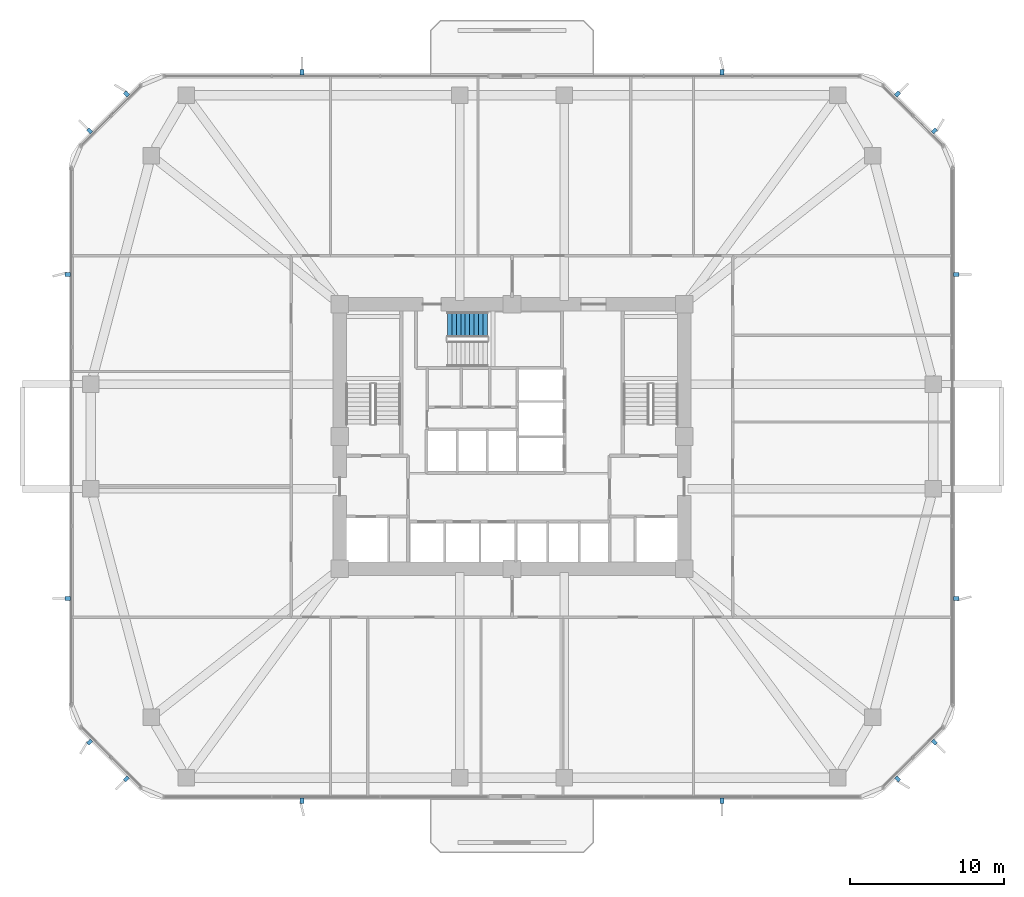
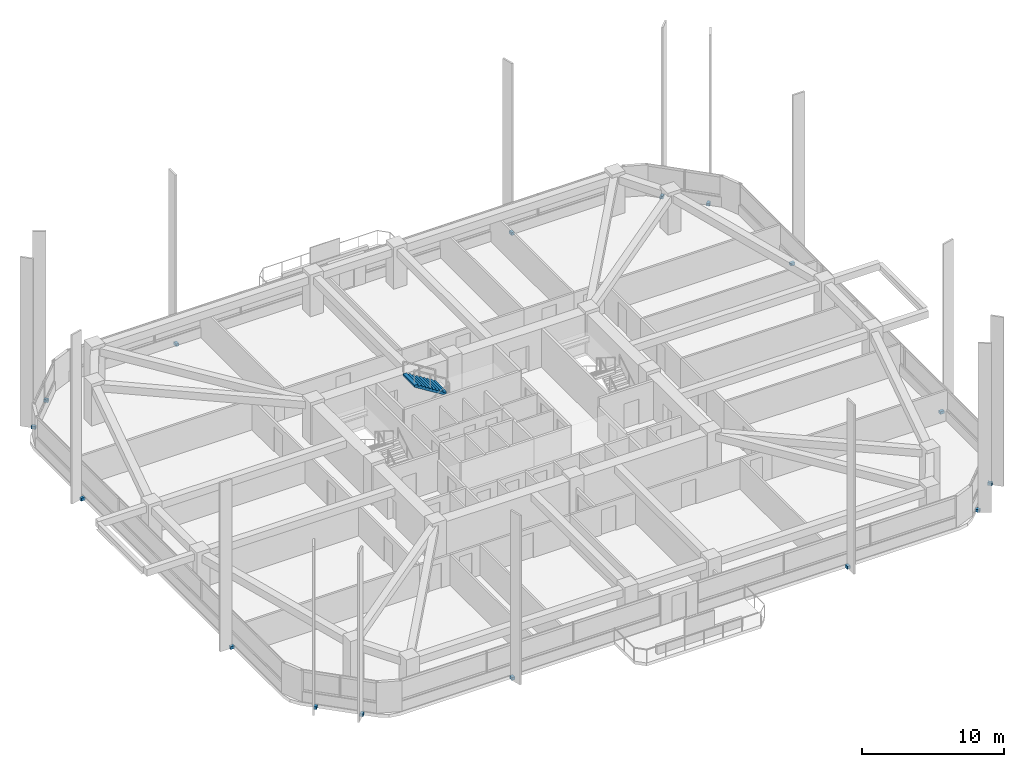
# One storey, part 12 of 17: 16 discrete accessories, 1 stair flight, 1 element without a shape of its own.
"""IFC4 building model written with IfcOpenShell, lengths in metres."""

from ifc_helpers import new_model, si_unit, derived_unit, direction, frame, origin, origin_2d, place, context, subcontext, project, spatial, polyline, rectangle, outline, extrude, material, type_object, element, aggregate, save


model = new_model("IFC4")

# Units and contexts
model_context = context("Model", 3, precision=1e-05, world=origin(), true_north=direction((0.0, 1.0)))
body_context = subcontext(model_context, "Body", "Model", "MODEL_VIEW")
ifc_project = project(units=[si_unit("LENGTHUNIT", "METRE"), si_unit("AREAUNIT", "SQUARE_METRE"), si_unit("VOLUMEUNIT", "CUBIC_METRE"), si_unit("PLANEANGLEUNIT", "RADIAN"), si_unit("MASSUNIT", "GRAM", prefix="KILO"), derived_unit("THERMALTRANSMITTANCEUNIT", [(si_unit("POWERUNIT", "WATT"), 1), (si_unit("LENGTHUNIT", "METRE"), -2), (si_unit("THERMODYNAMICTEMPERATUREUNIT", "KELVIN"), -1)])], contexts=[model_context])

# Site, building, storey
site_placement = place(None, origin())
site = spatial("IfcSite", under=ifc_project, at=site_placement, CompositionType="ELEMENT")
building_placement = place(site_placement, origin())
building = spatial("IfcBuilding", under=site, at=building_placement, Name="Koralith Skygarden Medical Center", CompositionType="ELEMENT")
storey_placement = place(building_placement, frame((0.0, 0.0, 23.93994140625)))
storey = spatial("IfcBuildingStorey", under=building, at=storey_placement, Name="L05", CompositionType="ELEMENT", Elevation=23.93994140625)

# Stair, stair flight
ifc_material_1 = material(Name="Concrete C45/55", Category="concrete")
stair_type = type_object("IfcStairType", Name="Core Exit Dogleg Concrete Stair", PredefinedType="HALF_TURN_STAIR", material=ifc_material_1)
stair_placement = place(storey_placement, origin())
stair = element("IfcStair", 1, at=stair_placement, inside=storey, type_object=stair_type, Name="L05 Smokeproof Exit Stair ST3", PredefinedType="HALF_TURN_STAIR")
stair_flight_type = type_object("IfcStairFlightType", Name="Core Exit Concrete Stair Flight 1650", PredefinedType="STRAIGHT", material=ifc_material_1)
stair_flight_placement = place(storey_placement, frame((35.409912109375, 33.175048828125, 1.800048828125), z_axis=(0.0, 0.0, 1.0), x_axis=(-1.0, 0.0, 0.0)))
stair_flight = element("IfcStairFlight", 2, at=stair_flight_placement, type_object=stair_flight_type, Name="ST3 flight 2", NumberOfRisers=10, NumberOfTreads=9, PredefinedType="STRAIGHT", RiserHeight=0.18, TreadLength=0.29, context=body_context, shape_type="SweptSolid", body=[
    extrude(outline(polyline([(0.0, 0.0), (0.0, 0.179931640625), (0.2900390625, 0.179931640625), (0.2900390625, 0.360107421875), (0.580078125, 0.360107421875), (0.580078125, 0.5400390625), (0.8701171875, 0.5400390625), (0.8701171875, 0.719970703125), (1.159912109375, 0.719970703125), (1.159912109375, 0.89990234375), (1.449951171875, 0.89990234375), (1.449951171875, 1.080078125), (1.739990234375, 1.080078125), (1.739990234375, 1.260009765625), (2.030029296875, 1.260009765625), (2.030029296875, 1.43994140625), (2.320068359375, 1.43994140625), (2.320068359375, 1.6201171875), (2.610107421875, 1.6201171875), (2.610107421875, 1.800048828125), (2.610107421875, 1.443603515625), (0.2841796875, 0.0), (0.0, 0.0)])), frame((0.0, 0.824951171875, 0.0), z_axis=(0.0, -1.0, 0.0), x_axis=(1.0, 0.0, 0.0)), (0.0, 0.0, 1.0), 1.64990234375),
])
aggregate(stair, [stair_flight])

# Discrete accessories
ifc_material_2 = material(Name="Steel ASTM A572 Grade 50", Category="steel")
discrete_accessory_type = type_object("IfcDiscreteAccessoryType", Name="Facade Fin Structural Anchor Bracket", PredefinedType="BRACKET", material=ifc_material_2)
for number, where, z_axis, x_axis, name in (
    (3, (23.35009765625, 2.219970703125, -0.259765625), (0.0, 0.0, 1.0), (0.0, -1.0, 0.0), "L05 S Solar Fin Anchor Bracket 1"),
    (4, (50.64990234375, 2.219970703125, -0.259765625), (0.0, 0.0, 1.0), (0.0, -1.0, 0.0), "L05 S Solar Fin Anchor Bracket 2"),
    (5, (62.05810546875, 3.64404296875, -0.259765625), (0.0, 0.0, 1.0), (0.707106781187, -0.707106781187, 0.0), "L05 SE Solar Fin Anchor Bracket 1"),
    (6, (64.4560546875, 6.0419921875, -0.259765625), (0.0, 0.0, 1.0), (0.707106781187, -0.707106781187, 0.0), "L05 SE Solar Fin Anchor Bracket 2"),
    (7, (65.8798828125, 15.3701171875, -0.259765625), (0.0, 0.0, 1.0), (1.0, 0.0, 0.0), "L05 E Solar Fin Anchor Bracket 1"),
    (8, (65.8798828125, 36.429931640625, -0.259765625), (0.0, 0.0, 1.0), (1.0, 0.0, 0.0), "L05 E Solar Fin Anchor Bracket 2"),
    (9, (64.4560546875, 45.758056640625, -0.259765625), (0.0, 0.0, 1.0), (0.707106781187, 0.707106781187, 0.0), "L05 NE Solar Fin Anchor Bracket 1"),
    (10, (62.05810546875, 48.156005859375, -0.259765625), (0.0, 0.0, 1.0), (0.707106781187, 0.707106781187, 0.0), "L05 NE Solar Fin Anchor Bracket 2"),
    (11, (50.64990234375, 49.580078125, -0.259765625), (0.0, 0.0, 1.0), (0.0, 1.0, 0.0), "L05 N Solar Fin Anchor Bracket 1"),
    (12, (23.35009765625, 49.580078125, -0.259765625), (0.0, 0.0, 1.0), (0.0, 1.0, 0.0), "L05 N Solar Fin Anchor Bracket 2"),
    (13, (11.94189453125, 48.156005859375, -0.259765625), (0.0, 0.0, 1.0), (-0.707106781187, 0.707106781187, 0.0), "L05 NW Solar Fin Anchor Bracket 1"),
    (14, (9.5439453125, 45.758056640625, -0.259765625), (0.0, 0.0, 1.0), (-0.707106781187, 0.707106781187, 0.0), "L05 NW Solar Fin Anchor Bracket 2"),
    (15, (8.1201171875, 36.429931640625, -0.259765625), (0.0, 0.0, 1.0), (-1.0, 0.0, 0.0), "L05 W Solar Fin Anchor Bracket 1"),
    (16, (8.1201171875, 15.3701171875, -0.259765625), (0.0, 0.0, 1.0), (-1.0, 0.0, 0.0), "L05 W Solar Fin Anchor Bracket 2"),
    (17, (9.5439453125, 6.0419921875, -0.259765625), (0.0, 0.0, 1.0), (-0.707106781187, -0.707106781187, 0.0), "L05 SW Solar Fin Anchor Bracket 1"),
    (18, (11.94189453125, 3.64404296875, -0.259765625), (0.0, 0.0, 1.0), (-0.707106781187, -0.707106781187, 0.0), "L05 SW Solar Fin Anchor Bracket 2"),
):
    element("IfcDiscreteAccessory", number, at=place(storey_placement, frame(where, z_axis=z_axis, x_axis=x_axis)), inside=storey, type_object=discrete_accessory_type, Name=name, PredefinedType="BRACKET", context=body_context, shape_type="SweptSolid", body=[
        extrude(rectangle(XDim=0.340087890625, YDim=0.239990234375, at=origin_2d()), origin(), (0.0, 0.0, 1.0), 0.239990234375),
    ])

save(model, "model.ifc")
